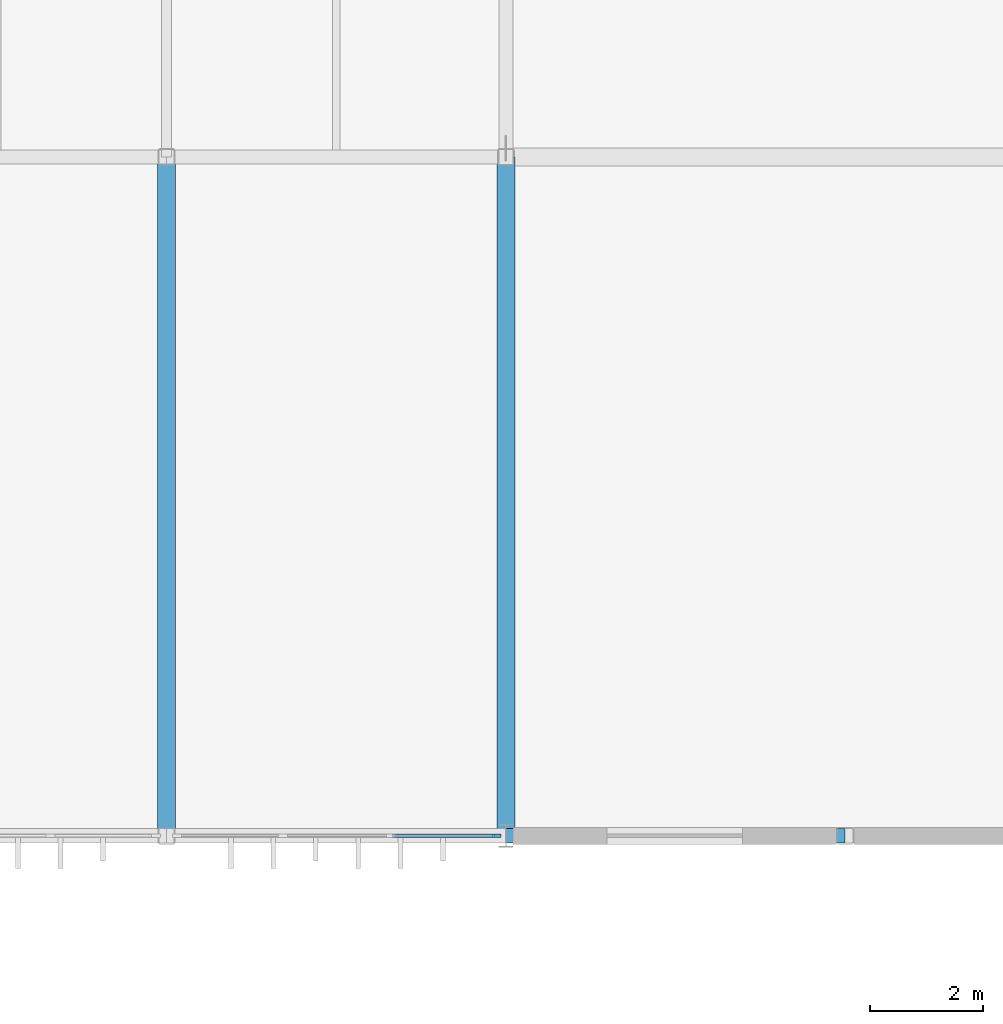
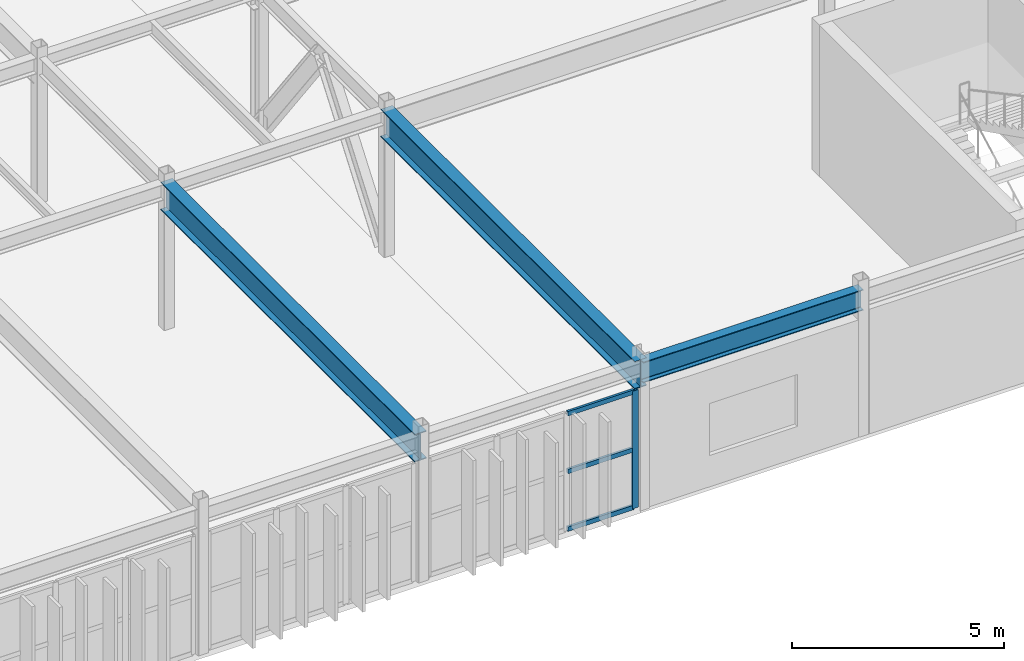
# One storey, part 47 of 96: 4 members, 3 beams, 1 element without a shape of its own.
"""IFC4 building model written with IfcOpenShell, lengths in metres."""

from ifc_helpers import new_model, si_unit, direction, frame, origin, origin_2d, place, context, subcontext, project, spatial, rectangle, i_section, extrude, material, material_profile, profile_set, type_object, element, aggregate, save


model = new_model("IFC4")

# Units and contexts
model_context = context("Model", 3, precision=1e-05, world=origin(), true_north=direction((0.0, 1.0)))
body_context = subcontext(model_context, "Body", "Model", "MODEL_VIEW")
ifc_project = project(units=[si_unit("LENGTHUNIT", "METRE"), si_unit("AREAUNIT", "SQUARE_METRE"), si_unit("VOLUMEUNIT", "CUBIC_METRE"), si_unit("PLANEANGLEUNIT", "RADIAN"), si_unit("MASSUNIT", "GRAM", prefix="KILO")], contexts=[model_context])

# Site, building, storey
site_placement = place(None, origin())
site = spatial("IfcSite", under=ifc_project, at=site_placement, CompositionType="ELEMENT")
building_placement = place(site_placement, origin())
building = spatial("IfcBuilding", under=site, at=building_placement, Name="Varnakota Square Police Headquarters", CompositionType="ELEMENT")
storey_placement = place(building_placement, frame((0.0, 0.0, 4.800048828125)))
storey = spatial("IfcBuildingStorey", under=building, at=storey_placement, Name="L01", CompositionType="ELEMENT", Elevation=4.800048828125)

# Beams
ifc_material_1 = material(Name="Steel IS 2062 Grade 350", Category="steel")
ifc_material_profile_1 = material_profile(ifc_material_1, i_section(OverallWidth=0.320068359375, OverallDepth=0.800048828125, WebThickness=0.01611328125, FlangeThickness=0.028076171875, at=origin_2d()), Name="BPG 800x320")
ifc_profile_set_1 = profile_set([ifc_material_profile_1], Name="Steel IS 2062 Grade 350")
beam_type_1 = type_object("IfcBeamType", Name="BM-BPG800", PredefinedType="BEAM", material=ifc_profile_set_1)
for number, where, z_axis, x_axis, name in (
    (1, (90.0, 69.0, 3.800048828125), (0.0, 1.0, 0.0), (-1.0, 0.0, 0.0), "BMG-L01-1665"),
    (2, (96.0, 69.0, 3.800048828125), (0.0, 1.0, 0.0), (-1.0, 0.0, 0.0), "BMG-L01-1674"),
):
    element("IfcBeam", number, at=place(storey_placement, frame(where, z_axis=z_axis, x_axis=x_axis)), inside=storey, type_object=beam_type_1, Name=name, PredefinedType="BEAM", context=body_context, shape_type="SweptSolid", body=[
        extrude(i_section(OverallWidth=0.320068359375, OverallDepth=0.800048828125, WebThickness=0.01611328125, FlangeThickness=0.028076171875, at=origin_2d()), origin(), (0.0, 0.0, 1.0), 12.0),
    ])
ifc_material_profile_2 = material_profile(ifc_material_1, i_section(OverallWidth=0.25, OverallDepth=0.60009765625, WebThickness=0.01171875, FlangeThickness=0.023681640625, FilletRadius=0.01708984375, at=origin_2d()), Name="ISWB 600")
ifc_profile_set_2 = profile_set([ifc_material_profile_2], Name="Steel IS 2062 Grade 350")
beam_type_2 = type_object("IfcBeamType", Name="BM-ISWB600", PredefinedType="BEAM", material=ifc_profile_set_2)
beam_placement = place(storey_placement, frame((96.0, 69.0, 3.89990234375), z_axis=(1.0, 0.0, 0.0), x_axis=(0.0, 1.0, 0.0)))
element("IfcBeam", 3, at=beam_placement, inside=storey, type_object=beam_type_2, Name="BMG-L01-1432", PredefinedType="BEAM", context=body_context, shape_type="SweptSolid", body=[
    extrude(i_section(OverallWidth=0.25, OverallDepth=0.60009765625, WebThickness=0.01171875, FlangeThickness=0.023681640625, FilletRadius=0.01708984375, at=origin_2d()), origin(), (0.0, 0.0, 1.0), 6.0),
])

# Curtain wall, members
ifc_material_2 = material(Name="Anodised Aluminium Framing", Category="aluminium")
curtain_wall_type = type_object("IfcCurtainWallType", Name="CW-SYS-B", PredefinedType="NOTDEFINED", material=ifc_material_2)
curtain_wall_placement = place(storey_placement, origin())
curtain_wall = element("IfcCurtainWall", 4, at=curtain_wall_placement, inside=storey, type_object=curtain_wall_type, Name="Unitised curtain wall CWG-L01-231", PredefinedType="NOTDEFINED")
ifc_material_3 = material(Name="Anodised Aluminium 6063-T6", Category="aluminium")
ifc_material_profile_3 = material_profile(ifc_material_3, rectangle(XDim=0.06494140625, YDim=0.159912109375, at=origin_2d()), Name="ALU MULLION 65x160")
ifc_profile_set_3 = profile_set([ifc_material_profile_3], Name="Anodised Aluminium 6063-T6")
member_type_1 = type_object("IfcMemberType", Name="CWM-150", PredefinedType="MULLION", material=ifc_profile_set_3)
member_1_placement = place(storey_placement, frame((95.83740234375, 69.0, 0.0), z_axis=(0.0, 0.0, 1.0), x_axis=(0.0, 1.0, 0.0)))
member_1 = element("IfcMember", 5, at=member_1_placement, type_object=member_type_1, Name="CWG-L01-231 mullion 4", PredefinedType="MULLION", context=body_context, shape_type="SweptSolid", body=[
    extrude(rectangle(XDim=0.06494140625, YDim=0.159912109375, at=origin_2d()), origin(), (0.0, 0.0, 1.0), 3.389892578125),
])
ifc_material_profile_4 = material_profile(ifc_material_3, rectangle(XDim=0.06494140625, YDim=0.1298828125, at=origin_2d()), Name="ALU TRANSOM 65x130")
ifc_profile_set_4 = profile_set([ifc_material_profile_4], Name="Anodised Aluminium 6063-T6")
member_type_2 = type_object("IfcMemberType", Name="CWT-120", PredefinedType="USERDEFINED", material=ifc_profile_set_4)
member_2_placement = place(storey_placement, frame((93.99755859375, 69.0, 0.032470703125), z_axis=(1.0, 0.0, 0.0), x_axis=(0.0, 1.0, 0.0)))
member_2 = element("IfcMember", 6, at=member_2_placement, type_object=member_type_2, Name="CWG-L01-231 transom 3.1", ObjectType="TRANSOM", PredefinedType="USERDEFINED", context=body_context, shape_type="SweptSolid", body=[
    extrude(rectangle(XDim=0.06494140625, YDim=0.1298828125, at=origin_2d()), origin(), (0.0, 0.0, 1.0), 1.807373046875),
])
member_3_placement = place(storey_placement, frame((93.99755859375, 69.0, 1.695068359375), z_axis=(1.0, 0.0, 0.0), x_axis=(0.0, 1.0, 0.0)))
member_3 = element("IfcMember", 7, at=member_3_placement, type_object=member_type_2, Name="CWG-L01-231 transom 3.2", ObjectType="TRANSOM", PredefinedType="USERDEFINED", context=body_context, shape_type="SweptSolid", body=[
    extrude(rectangle(XDim=0.06494140625, YDim=0.1298828125, at=origin_2d()), origin(), (0.0, 0.0, 1.0), 1.807373046875),
])
member_4_placement = place(storey_placement, frame((93.99755859375, 69.0, 3.357421875), z_axis=(1.0, 0.0, 0.0), x_axis=(0.0, 1.0, 0.0)))
member_4 = element("IfcMember", 8, at=member_4_placement, type_object=member_type_2, Name="CWG-L01-231 transom 3.3", ObjectType="TRANSOM", PredefinedType="USERDEFINED", context=body_context, shape_type="SweptSolid", body=[
    extrude(rectangle(XDim=0.06494140625, YDim=0.1298828125, at=origin_2d()), origin(), (0.0, 0.0, 1.0), 1.807373046875),
])
aggregate(curtain_wall, [member_1, member_2, member_3, member_4])

save(model, "model.ifc")
